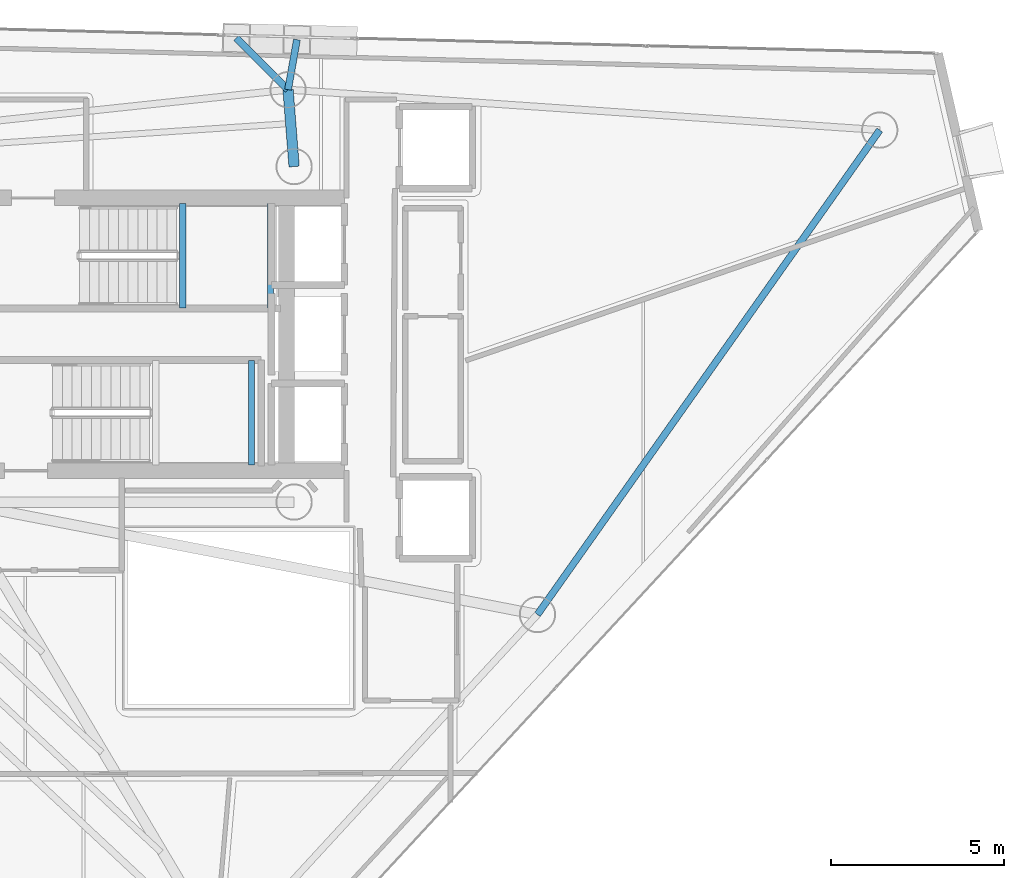
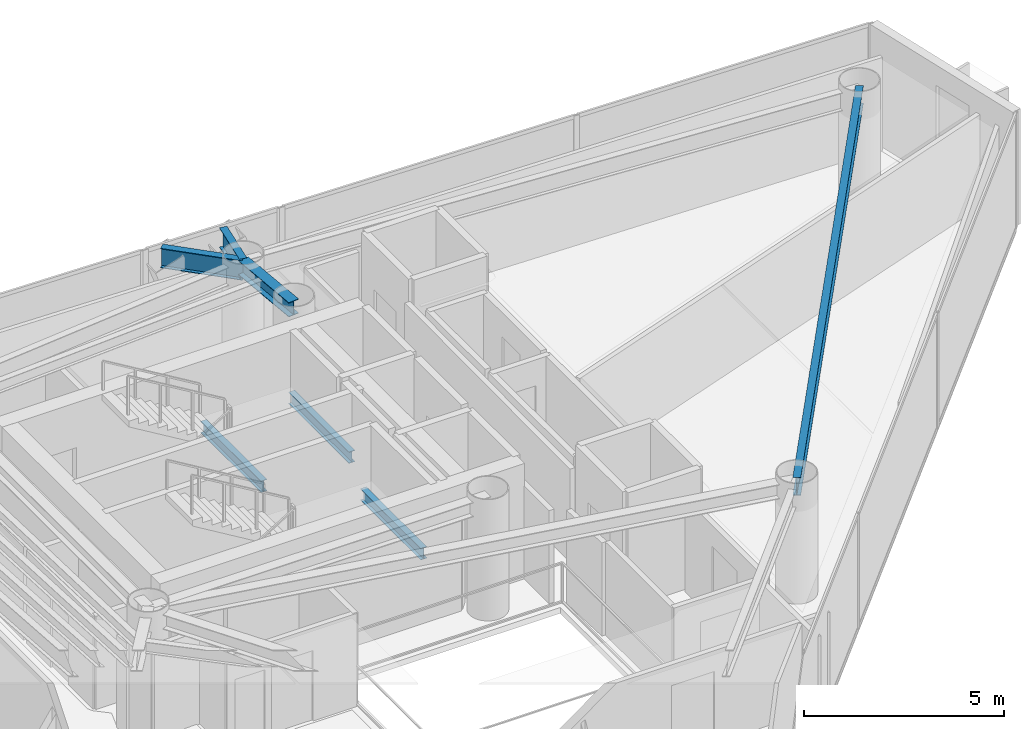
# One storey, part 10 of 21: 7 beams.
"""IFC4 building model written with IfcOpenShell, lengths in metres."""

from ifc_helpers import new_model, si_unit, direction, frame, origin, origin_2d, place, context, subcontext, project, spatial, i_section, extrude, material, material_profile, profile_set, type_object, element, save


model = new_model("IFC4")

# Units and contexts
model_context = context("Model", 3, precision=1e-05, world=origin(), true_north=direction((0.0, 1.0)))
body_context = subcontext(model_context, "Body", "Model", "MODEL_VIEW")
ifc_project = project(units=[si_unit("LENGTHUNIT", "METRE"), si_unit("AREAUNIT", "SQUARE_METRE"), si_unit("VOLUMEUNIT", "CUBIC_METRE"), si_unit("PLANEANGLEUNIT", "RADIAN"), si_unit("MASSUNIT", "GRAM", prefix="KILO")], contexts=[model_context])

# Site, building, storey
site_placement = place(None, origin())
site = spatial("IfcSite", under=ifc_project, at=site_placement, CompositionType="ELEMENT")
building_placement = place(site_placement, origin())
building = spatial("IfcBuilding", under=site, at=building_placement, Name="Qianvela Tower", CompositionType="ELEMENT")
storey_placement = place(building_placement, frame((0.0, 0.0, 246.39990234375)))
storey = spatial("IfcBuildingStorey", under=building, at=storey_placement, Name="L63", CompositionType="ELEMENT", Elevation=246.39990234375)

# Beams
ifc_material_1 = material(Name="Steel Q355B", Category="steel")
ifc_material_profile_1 = material_profile(ifc_material_1, i_section(OverallWidth=0.300048828125, OverallDepth=0.43994140625, WebThickness=0.010986328125, FlangeThickness=0.01806640625, at=origin_2d()), Name="HM440x300x11x18")
ifc_profile_set_1 = profile_set([ifc_material_profile_1], Name="Steel Q355B")
beam_type_1 = type_object("IfcBeamType", Name="BM-HM440-COLL", PredefinedType="BEAM", material=ifc_profile_set_1)
beam_1_placement = place(storey_placement, frame((38.39990234375, 33.550048828125, 3.298095703125), z_axis=(-0.078396085685, 0.996922290727, 0.0), x_axis=(-0.996922290727, -0.078396085685, 0.0)))
element("IfcBeam", 1, at=beam_1_placement, inside=storey, type_object=beam_type_1, Name="L63 Radial Primary Floor Girder 2", PredefinedType="BEAM", context=body_context, shape_type="SweptSolid", body=[
    extrude(i_section(OverallWidth=0.300048828125, OverallDepth=0.43994140625, WebThickness=0.010986328125, FlangeThickness=0.01806640625, at=origin_2d()), origin(), (0.0, 0.0, 1.0), 2.229736328125),
])
ifc_material_2 = material(Name="Steel Q355B", Category="steel")
ifc_material_profile_2 = material_profile(ifc_material_2, i_section(OverallWidth=0.175048828125, OverallDepth=0.35009765625, WebThickness=0.007080078125, FlangeThickness=0.010986328125, at=origin_2d()), Name="HN350x175x7x11")
ifc_profile_set_2 = profile_set([ifc_material_profile_2], Name="Steel Q355B")
beam_type_2 = type_object("IfcBeamType", Name="BM-HN350-JOIST", PredefinedType="JOIST", material=ifc_profile_set_2)
for number, where, z_axis, x_axis, name in (
    (2, (35.179931640625, 29.4599609375, 1.47509765625), (0.0, 1.0, 0.0), (-1.0, 0.0, 0.0), "L63 Stair ST-1 Landing Support Beam 1.1"),
    (3, (37.719970703125, 29.4599609375, 1.47509765625), (0.0, 1.0, 0.0), (-1.0, 0.0, 0.0), "L63 Stair ST-1 Landing Support Beam 1.2"),
    (4, (37.169921875, 24.919921875, 1.47509765625), (0.0, 1.0, 0.0), (-1.0, 0.0, 0.0), "L63 Stair ST-2 Landing Support Beam 1.2"),
):
    element("IfcBeam", number, at=place(storey_placement, frame(where, z_axis=z_axis, x_axis=x_axis)), inside=storey, type_object=beam_type_2, Name=name, PredefinedType="JOIST", context=body_context, shape_type="SweptSolid", body=[
        extrude(i_section(OverallWidth=0.175048828125, OverallDepth=0.35009765625, WebThickness=0.007080078125, FlangeThickness=0.010986328125, at=origin_2d()), origin(), (0.0, 0.0, 1.0), 3.02001953125),
    ])
ifc_material_3 = material(Name="Steel Q355B", Category="steel")
ifc_material_profile_3 = material_profile(ifc_material_3, i_section(OverallWidth=0.199951171875, OverallDepth=0.550048828125, WebThickness=0.010009765625, FlangeThickness=0.01611328125, at=origin_2d()), Name="HN550x200x10x16")
ifc_profile_set_3 = profile_set([ifc_material_profile_3], Name="Steel Q355B")
beam_type_3 = type_object("IfcBeamType", Name="BM-HN550-GIRD", PredefinedType="BEAM", material=ifc_profile_set_3)
beam_2_placement = place(storey_placement, frame((45.43603515625, 20.597900390625, 3.2431640625), z_axis=(0.577019604961, 0.816730295441, 0.0), x_axis=(-0.816730295441, 0.577019604961, 0.0)))
element("IfcBeam", 5, at=beam_2_placement, inside=storey, type_object=beam_type_3, Name="L63 Perimeter Ring Spandrel Girder 6", PredefinedType="BEAM", context=body_context, shape_type="SweptSolid", body=[
    extrude(i_section(OverallWidth=0.199951171875, OverallDepth=0.550048828125, WebThickness=0.010009765625, FlangeThickness=0.01611328125, at=origin_2d()), origin(), (0.0, 0.0, 1.0), 17.150146484375),
])
ifc_material_4 = material(Name="Steel Q355B", Category="steel")
ifc_material_profile_4 = material_profile(ifc_material_4, i_section(OverallWidth=0.199951171875, OverallDepth=0.60009765625, WebThickness=0.010986328125, FlangeThickness=0.01708984375, at=origin_2d()), Name="HN600x200x11x17")
ifc_profile_set_4 = profile_set([ifc_material_profile_4], Name="Steel Q355B")
beam_type_4 = type_object("IfcBeamType", Name="BM-HN600-GIRD", PredefinedType="BEAM", material=ifc_profile_set_4)
beam_3_placement = place(storey_placement, frame((38.22509765625, 35.77294921875, 3.218017578125), z_axis=(0.175094227254, 0.984551680504, 0.0), x_axis=(-0.984551680504, 0.175094227254, 0.0)))
element("IfcBeam", 6, at=beam_3_placement, inside=storey, type_object=beam_type_4, Name="L63 Mega-Brace Column Tie Bracket F1-1", PredefinedType="BEAM", context=body_context, shape_type="SweptSolid", body=[
    extrude(i_section(OverallWidth=0.199951171875, OverallDepth=0.60009765625, WebThickness=0.010986328125, FlangeThickness=0.01708984375, at=origin_2d()), origin(), (0.0, 0.0, 1.0), 1.46826171875),
])
beam_4_placement = place(storey_placement, frame((38.22509765625, 35.77294921875, 3.218017578125), z_axis=(-0.708146897341, 0.706065132822, 0.0), x_axis=(-0.706065132822, -0.708146897341, 0.0)))
element("IfcBeam", 7, at=beam_4_placement, inside=storey, type_object=beam_type_4, Name="L63 Mega-Brace Column Tie Bracket F1-2", PredefinedType="BEAM", context=body_context, shape_type="SweptSolid", body=[
    extrude(i_section(OverallWidth=0.199951171875, OverallDepth=0.60009765625, WebThickness=0.010986328125, FlangeThickness=0.01708984375, at=origin_2d()), origin(), (0.0, 0.0, 1.0), 2.111083984375),
])

save(model, "model.ifc")
